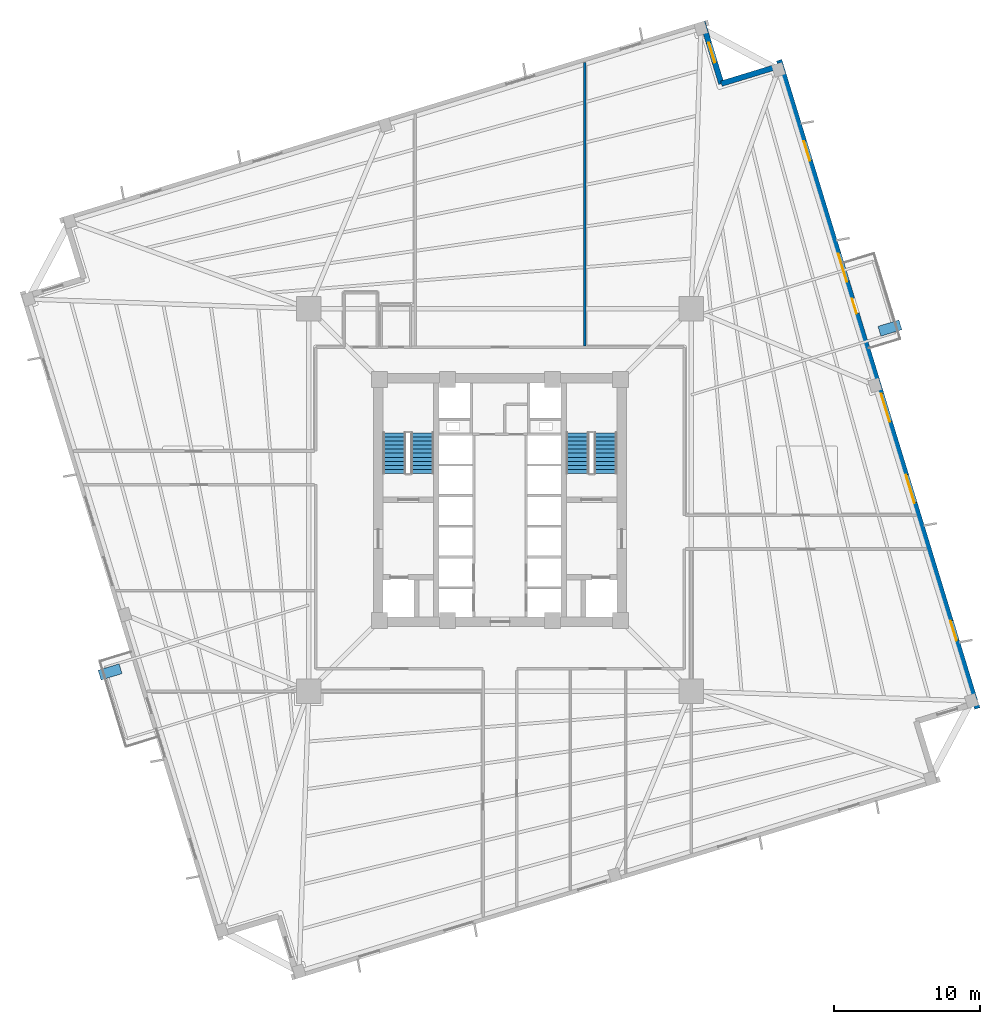
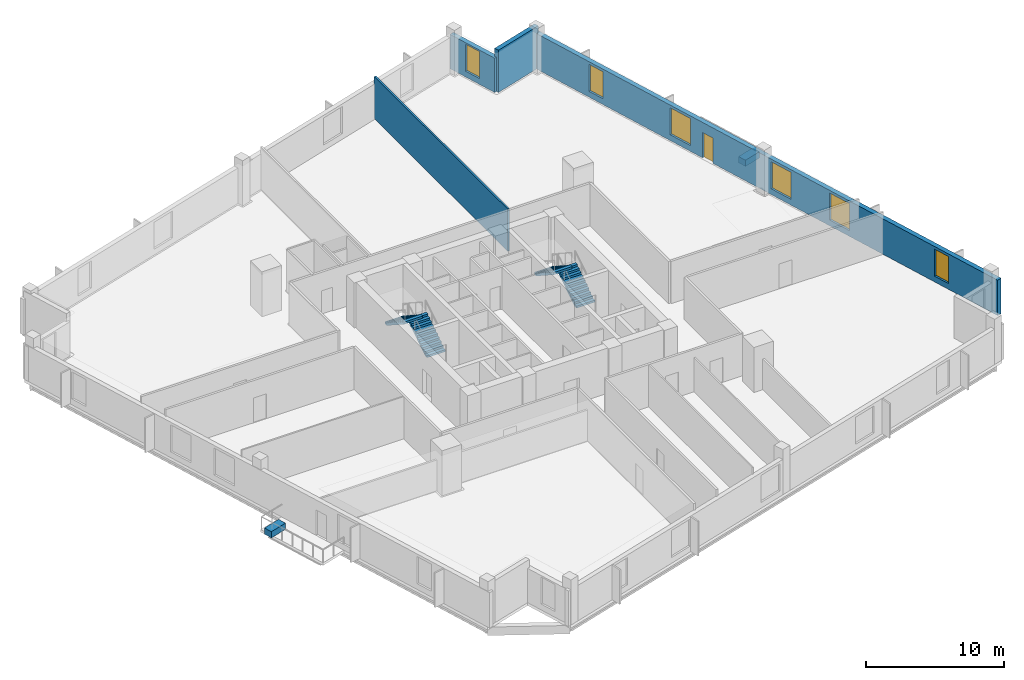
# One storey, part 6 of 9: 6 windows, 4 stair flights, 4 walls, 2 discrete accessories, 1 door, 7 openings, 2 elements without a shape of their own.
"""IFC4 building model written with IfcOpenShell, lengths in metres."""

from ifc_helpers import new_model, si_unit, direction, frame, frame_2d, origin, origin_2d, place, context, subcontext, project, spatial, polyline, rectangle, outline, extrude, source, transform, mapped, material, layer, layer_set, type_object, element, fill, aggregate, save


model = new_model("IFC4")

# Units and contexts
model_context = context("Model", 3, precision=1e-05, world=origin(), true_north=direction((0.0, 1.0)))
body_context = subcontext(model_context, "Body", "Model", "MODEL_VIEW")
ifc_project = project(units=[si_unit("LENGTHUNIT", "METRE"), si_unit("AREAUNIT", "SQUARE_METRE"), si_unit("VOLUMEUNIT", "CUBIC_METRE"), si_unit("PLANEANGLEUNIT", "RADIAN"), si_unit("MASSUNIT", "GRAM", prefix="KILO"), si_unit("THERMODYNAMICTEMPERATUREUNIT", "KELVIN")], contexts=[model_context])

# Site, building, storey
site_placement = place(None, origin())
site = spatial("IfcSite", under=ifc_project, at=site_placement, CompositionType="ELEMENT")
building_placement = place(site_placement, origin())
building = spatial("IfcBuilding", under=site, at=building_placement, Name="Kosmvard Interchange Tower", CompositionType="ELEMENT")
storey_placement = place(building_placement, frame((0.0, 0.0, 107.199951171875)))
storey = spatial("IfcBuildingStorey", under=building, at=storey_placement, Name="L25", CompositionType="ELEMENT", Elevation=107.199951171875)

# Wall
ifc_material_1 = material(Name="Acoustic gypsum partition system")
ifc_layer_1 = layer(ifc_material_1, 0.14990234375, Name="Acoustic gypsum partition system")
ifc_layer_set_1 = layer_set([ifc_layer_1], Name="Acoustic gypsum partition system")
wall_type_1 = type_object("IfcWallType", Name="Acoustic Suite & Meeting Partition 150", PredefinedType="PARTITIONING", material=ifc_layer_set_1)
wall_1_placement = place(storey_placement, frame((5.800048828125, 10.544921875, 0.0), z_axis=(0.0, 0.0, 1.0), x_axis=(0.0, 1.0, 0.0)))
element("IfcWall", 1, at=wall_1_placement, inside=storey, type_object=wall_type_1, Name="L25 Room Partition 02.1", PredefinedType="PARTITIONING", context=body_context, shape_type="SweptSolid", body=[
    extrude(rectangle(XDim=19.39404296875, YDim=0.14990234375, at=frame_2d((9.697021484375, 0.0))), origin(), (0.0, 0.0, 1.0), 3.739990234375),
])

# Wall, openings, door, windows
ifc_material_2 = material(Name="Precast concrete C45/55", Category="concrete")
ifc_layer_2 = layer(ifc_material_2, 0.3798828125, Name="Precast concrete C45/55")
ifc_layer_set_2 = layer_set([ifc_layer_2], Name="Precast concrete C45/55")
wall_type_2 = type_object("IfcWallType", Name="Lower Tower Precast Pier Wall 380 C45/55", PredefinedType="STANDARD", material=ifc_layer_set_2)
wall_2_placement = place(storey_placement, frame((32.65771484375, -14.26513671875, 0.0), z_axis=(0.0, 0.0, 1.0), x_axis=(-0.292373127906, 0.956304320851, 0.0)))
wall_2 = element("IfcWall", 2, at=wall_2_placement, inside=storey, type_object=wall_type_2, Name="L25 Precast Facade Wall F-E", PredefinedType="STANDARD", context=body_context, shape_type="SweptSolid", body=[
    extrude(rectangle(XDim=46.380126953125, YDim=0.3798828125, at=frame_2d((23.18994140625, 0.0))), origin(), (0.0, 0.0, 1.0), 3.14013671875),
])
opening_1_placement = place(wall_2_placement, frame((28.264892578125, 0.0, 0.0)))
opening_1 = element("IfcOpeningElement", 3, at=opening_1_placement, cuts=wall_2, Name="Opening L25-BDE", PredefinedType="OPENING", context=body_context, shape_type="SweptSolid", body=[
    extrude(rectangle(XDim=1.050048828125, YDim=2.25, at=frame_2d((0.52490234375, 1.125))), frame((0.0, 0.199951171875, 0.0), z_axis=(0.0, -1.0, 0.0), x_axis=(1.0, 0.0, 0.0)), (0.0, 0.0, 1.0), 0.39990234375),
])
opening_2_placement = place(wall_2_placement, frame((4.865478515625, 0.0, 0.510009765625)))
opening_2 = element("IfcOpeningElement", 4, at=opening_2_placement, cuts=wall_2, Name="Opening L25-W06", PredefinedType="OPENING", context=body_context, shape_type="SweptSolid", body=[
    extrude(rectangle(XDim=1.39990234375, YDim=2.39990234375, at=frame_2d((0.699951171875, 1.199951171875))), frame((0.0, 0.199951171875, 0.0), z_axis=(0.0, -1.0, 0.0), x_axis=(1.0, 0.0, 0.0)), (0.0, 0.0, 1.0), 0.39990234375),
])
opening_3_placement = place(wall_2_placement, frame((14.7001953125, 0.0, 0.510009765625)))
opening_3 = element("IfcOpeningElement", 5, at=opening_3_placement, cuts=wall_2, Name="Opening L25-W07", PredefinedType="OPENING", context=body_context, shape_type="SweptSolid", body=[
    extrude(rectangle(XDim=2.0, YDim=2.39990234375, at=frame_2d((1.0, 1.199951171875))), frame((0.0, 0.199951171875, 0.0), z_axis=(0.0, -1.0, 0.0), x_axis=(1.0, 0.0, 0.0)), (0.0, 0.0, 1.0), 0.39990234375),
])
opening_4_placement = place(wall_2_placement, frame((20.512451171875, 0.0, 0.510009765625)))
opening_4 = element("IfcOpeningElement", 6, at=opening_4_placement, cuts=wall_2, Name="Opening L25-W08", PredefinedType="OPENING", context=body_context, shape_type="SweptSolid", body=[
    extrude(rectangle(XDim=2.0, YDim=2.39990234375, at=frame_2d((1.0, 1.199951171875))), frame((0.0, 0.199951171875, 0.0), z_axis=(0.0, -1.0, 0.0), x_axis=(1.0, 0.0, 0.0)), (0.0, 0.0, 1.0), 0.39990234375),
])
opening_5_placement = place(wall_2_placement, frame((30.538330078125, 0.0, 0.510009765625)))
opening_5 = element("IfcOpeningElement", 7, at=opening_5_placement, cuts=wall_2, Name="Opening L25-W09", PredefinedType="OPENING", context=body_context, shape_type="SweptSolid", body=[
    extrude(rectangle(XDim=2.0, YDim=2.39990234375, at=frame_2d((1.0, 1.199951171875))), frame((0.0, 0.199951171875, 0.0), z_axis=(0.0, -1.0, 0.0), x_axis=(1.0, 0.0, 0.0)), (0.0, 0.0, 1.0), 0.39990234375),
])
opening_6_placement = place(wall_2_placement, frame((39.186767578125, 0.0, 0.510009765625)))
opening_6 = element("IfcOpeningElement", 8, at=opening_6_placement, cuts=wall_2, Name="Opening L25-W10", PredefinedType="OPENING", context=body_context, shape_type="SweptSolid", body=[
    extrude(rectangle(XDim=1.39990234375, YDim=2.39990234375, at=frame_2d((0.699951171875, 1.199951171875))), frame((0.0, 0.199951171875, 0.0), z_axis=(0.0, -1.0, 0.0), x_axis=(1.0, 0.0, 0.0)), (0.0, 0.0, 1.0), 0.39990234375),
])
ifc_material_3 = material(Name="Anodised aluminium and safety glass", Category="aluminium")
door_type = type_object("IfcDoorType", Name="Tree-Balcony Glazed Door 1050x2250", OperationType="NOTDEFINED", PredefinedType="DOOR", material=ifc_material_3)
shared_shape_1 = source(origin(), body_context, "Body", "SweptSolid", [
    extrude(rectangle(XDim=1.050048828125, YDim=2.25, at=frame_2d((0.52490234375, 1.125))), frame((0.0, 0.02490234375, 0.0), z_axis=(0.0, -1.0, 0.0), x_axis=(1.0, 0.0, 0.0)), (0.0, 0.0, 1.0), 0.050048828125),
])
door_placement = place(opening_1_placement, origin())
door = element("IfcDoor", 9, at=door_placement, inside=storey, type_object=door_type, Name="L25 Tree-Balcony Door BAL-L25-E", OperationType="SINGLE_SWING_RIGHT", OverallHeight=2.25, OverallWidth=1.050048828125, PredefinedType="DOOR", context=body_context, shape_type="MappedRepresentation", body=[
    mapped(shared_shape_1, transform((0.0, 0.0, 0.0), scale=1.0)),
])
fill(opening_1, door)
ifc_material_4 = material(Name="Low-E solar-control double glazing", Category="glass")
window_type_1 = type_object("IfcWindowType", Name="Notched Corner Feature Window 1400x2400", PartitioningType="SINGLE_PANEL", PredefinedType="WINDOW", material=ifc_material_4)
shared_shape_2 = source(origin(), body_context, "Body", "SweptSolid", [
    extrude(rectangle(XDim=1.39990234375, YDim=2.39990234375, at=frame_2d((0.699951171875, 1.199951171875))), frame((0.0, 0.030029296875, 0.0), z_axis=(0.0, -1.0, 0.0), x_axis=(1.0, 0.0, 0.0)), (0.0, 0.0, 1.0), 0.06005859375),
])
window_1_placement = place(opening_2_placement, origin())
window_1 = element("IfcWindow", 10, at=window_1_placement, inside=storey, type_object=window_type_1, Name="L25 Facade Punched Window 06", OverallHeight=2.39990234375, OverallWidth=1.39990234375, PartitioningType="SINGLE_PANEL", PredefinedType="WINDOW", context=body_context, shape_type="MappedRepresentation", body=[
    mapped(shared_shape_2, transform((0.0, 0.0, 0.0), scale=1.0)),
])
fill(opening_2, window_1)
window_2_placement = place(opening_6_placement, origin())
window_2 = element("IfcWindow", 11, at=window_2_placement, inside=storey, type_object=window_type_1, Name="L25 Facade Punched Window 10", OverallHeight=2.39990234375, OverallWidth=1.39990234375, PartitioningType="SINGLE_PANEL", PredefinedType="WINDOW", context=body_context, shape_type="MappedRepresentation", body=[
    mapped(shared_shape_2, transform((0.0, 0.0, 0.0), scale=1.0)),
])
fill(opening_6, window_2)
window_type_2 = type_object("IfcWindowType", Name="Zone 2 Office Punched Window 2000x2400", PartitioningType="SINGLE_PANEL", PredefinedType="WINDOW", material=ifc_material_4)
shared_shape_3 = source(origin(), body_context, "Body", "SweptSolid", [
    extrude(rectangle(XDim=2.0, YDim=2.39990234375, at=frame_2d((1.0, 1.199951171875))), frame((0.0, 0.030029296875, 0.0), z_axis=(0.0, -1.0, 0.0), x_axis=(1.0, 0.0, 0.0)), (0.0, 0.0, 1.0), 0.06005859375),
])
window_3_placement = place(opening_3_placement, origin())
window_3 = element("IfcWindow", 12, at=window_3_placement, inside=storey, type_object=window_type_2, Name="L25 Facade Punched Window 07", OverallHeight=2.39990234375, OverallWidth=2.0, PartitioningType="SINGLE_PANEL", PredefinedType="WINDOW", context=body_context, shape_type="MappedRepresentation", body=[
    mapped(shared_shape_3, transform((0.0, 0.0, 0.0), scale=1.0)),
])
fill(opening_3, window_3)
window_4_placement = place(opening_4_placement, origin())
window_4 = element("IfcWindow", 13, at=window_4_placement, inside=storey, type_object=window_type_2, Name="L25 Facade Punched Window 08", OverallHeight=2.39990234375, OverallWidth=2.0, PartitioningType="SINGLE_PANEL", PredefinedType="WINDOW", context=body_context, shape_type="MappedRepresentation", body=[
    mapped(shared_shape_3, transform((0.0, 0.0, 0.0), scale=1.0)),
])
fill(opening_4, window_4)
window_5_placement = place(opening_5_placement, origin())
window_5 = element("IfcWindow", 14, at=window_5_placement, inside=storey, type_object=window_type_2, Name="L25 Facade Punched Window 09", OverallHeight=2.39990234375, OverallWidth=2.0, PartitioningType="SINGLE_PANEL", PredefinedType="WINDOW", context=body_context, shape_type="MappedRepresentation", body=[
    mapped(shared_shape_3, transform((0.0, 0.0, 0.0), scale=1.0)),
])
fill(opening_5, window_5)

# Wall
wall_3_placement = place(storey_placement, frame((19.20849609375, 29.724853515625, 0.0), z_axis=(0.0, 0.0, 1.0), x_axis=(-0.956312764915, -0.292345507338, 0.0)))
element("IfcWall", 15, at=wall_3_placement, inside=storey, type_object=wall_type_2, Name="L25 Precast Facade Wall N-NE1", PredefinedType="STANDARD", context=body_context, shape_type="SweptSolid", body=[
    extrude(rectangle(XDim=4.249755859375, YDim=0.3798828125, at=frame_2d((2.125, 0.0))), origin(), (0.0, 0.0, 1.0), 3.739990234375),
])

# Wall, opening, window
wall_4_placement = place(storey_placement, frame((15.144287109375, 28.482421875, 0.0), z_axis=(0.0, 0.0, 1.0), x_axis=(-0.292373601522, 0.956304176051, 0.0)))
wall_4 = element("IfcWall", 16, at=wall_4_placement, inside=storey, type_object=wall_type_2, Name="L25 Precast Facade Wall N-NE2", PredefinedType="STANDARD", context=body_context, shape_type="SweptSolid", body=[
    extrude(rectangle(XDim=4.43994140625, YDim=0.3798828125, at=frame_2d((2.219970703125, 0.0))), origin(), (0.0, 0.0, 1.0), 3.0400390625),
])
opening_7_placement = place(wall_4_placement, frame((1.52001953125, 0.0, 0.510009765625)))
opening_7 = element("IfcOpeningElement", 17, at=opening_7_placement, cuts=wall_4, Name="Opening L25-W21", PredefinedType="OPENING", context=body_context, shape_type="SweptSolid", body=[
    extrude(rectangle(XDim=1.39990234375, YDim=2.39990234375, at=frame_2d((0.699951171875, 1.199951171875))), frame((0.0, 0.199951171875, 0.0), z_axis=(0.0, -1.0, 0.0), x_axis=(1.0, 0.0, 0.0)), (0.0, 0.0, 1.0), 0.39990234375),
])
window_6_placement = place(opening_7_placement, origin())
window_6 = element("IfcWindow", 18, at=window_6_placement, inside=storey, type_object=window_type_1, Name="L25 Corner Notch Window 21", OverallHeight=2.39990234375, OverallWidth=1.39990234375, PartitioningType="SINGLE_PANEL", PredefinedType="WINDOW", context=body_context, shape_type="MappedRepresentation", body=[
    mapped(shared_shape_2, transform((0.0, 0.0, 0.0), scale=1.0)),
])
fill(opening_7, window_6)

# Stair, stair flights
ifc_material_5 = material(Name="Concrete C50/60", Category="concrete")
stair_type = type_object("IfcStairType", Name="Dog-Leg Core Exit Stair H4000 C50/60", PredefinedType="HALF_TURN_STAIR", material=ifc_material_5)
stair_1_placement = place(storey_placement, origin())
stair_1 = element("IfcStair", 19, at=stair_1_placement, inside=storey, type_object=stair_type, Name="L25 Protected Exit Stair ST-1", PredefinedType="HALF_TURN_STAIR")
stair_flight_type = type_object("IfcStairFlightType", Name="Core Stair Flight W1550 H4000 C50/60", PredefinedType="STRAIGHT", material=ifc_material_5)
shared_shape_4 = source(origin(), body_context, "Body", "SweptSolid", [
    extrude(outline(polyline([(0.0, 0.0), (0.0, 0.181884765625), (0.280029296875, 0.181884765625), (0.280029296875, 0.363525390625), (0.56005859375, 0.363525390625), (0.56005859375, 0.54541015625), (0.840087890625, 0.54541015625), (0.840087890625, 0.727294921875), (1.1201171875, 0.727294921875), (1.1201171875, 0.9091796875), (1.39990234375, 0.9091796875), (1.39990234375, 1.0908203125), (1.679931640625, 1.0908203125), (1.679931640625, 1.272705078125), (1.9599609375, 1.272705078125), (1.9599609375, 1.45458984375), (2.239990234375, 1.45458984375), (2.239990234375, 1.636474609375), (2.52001953125, 1.636474609375), (2.52001953125, 1.818115234375), (2.800048828125, 1.818115234375), (2.800048828125, 2.0), (2.800048828125, 1.62744140625), (0.293701171875, 0.0), (0.0, 0.0)])), frame((0.0, 0.77490234375, 0.0), z_axis=(0.0, -1.0, 0.0), x_axis=(1.0, 0.0, 0.0)), (0.0, 0.0, 1.0), 1.550048828125),
])
stair_flight_1_placement = place(storey_placement, frame((-5.31494140625, 1.800048828125, 0.0), z_axis=(0.0, 0.0, 1.0), x_axis=(0.0, 1.0, 0.0)))
stair_flight_1 = element("IfcStairFlight", 20, at=stair_flight_1_placement, type_object=stair_flight_type, Name="ST-1 flight 1", NumberOfRisers=11, NumberOfTreads=10, PredefinedType="STRAIGHT", RiserHeight=0.181818182, TreadLength=0.28, context=body_context, shape_type="MappedRepresentation", body=[
    mapped(shared_shape_4, transform((0.0, 0.0, 0.0), scale=1.0)),
])
stair_flight_2_placement = place(storey_placement, frame((-7.22509765625, 4.60009765625, 2.0), z_axis=(0.0, 0.0, 1.0), x_axis=(0.0, -1.0, 0.0)))
stair_flight_2 = element("IfcStairFlight", 21, at=stair_flight_2_placement, type_object=stair_flight_type, Name="ST-1 flight 2", NumberOfRisers=11, NumberOfTreads=10, PredefinedType="STRAIGHT", RiserHeight=0.181818182, TreadLength=0.28, context=body_context, shape_type="MappedRepresentation", body=[
    mapped(shared_shape_4, transform((0.0, 0.0, 0.0), scale=1.0)),
])
aggregate(stair_1, [stair_flight_1, stair_flight_2])

stair_2_placement = place(storey_placement, origin())
stair_2 = element("IfcStair", 22, at=stair_2_placement, inside=storey, type_object=stair_type, Name="L25 Protected Exit Stair ST-2", PredefinedType="HALF_TURN_STAIR")
stair_flight_3_placement = place(storey_placement, frame((7.22509765625, 1.800048828125, 0.0), z_axis=(0.0, 0.0, 1.0), x_axis=(0.0, 1.0, 0.0)))
stair_flight_3 = element("IfcStairFlight", 23, at=stair_flight_3_placement, type_object=stair_flight_type, Name="ST-2 flight 1", NumberOfRisers=11, NumberOfTreads=10, PredefinedType="STRAIGHT", RiserHeight=0.181818182, TreadLength=0.28, context=body_context, shape_type="MappedRepresentation", body=[
    mapped(shared_shape_4, transform((0.0, 0.0, 0.0), scale=1.0)),
])
stair_flight_4_placement = place(storey_placement, frame((5.31494140625, 4.60009765625, 2.0), z_axis=(0.0, 0.0, 1.0), x_axis=(0.0, -1.0, 0.0)))
stair_flight_4 = element("IfcStairFlight", 24, at=stair_flight_4_placement, type_object=stair_flight_type, Name="ST-2 flight 2", NumberOfRisers=11, NumberOfTreads=10, PredefinedType="STRAIGHT", RiserHeight=0.181818182, TreadLength=0.28, context=body_context, shape_type="MappedRepresentation", body=[
    mapped(shared_shape_4, transform((0.0, 0.0, 0.0), scale=1.0)),
])
aggregate(stair_2, [stair_flight_3, stair_flight_4])

# Discrete accessories
ifc_material_6 = material(Name="Terracotta precast planter concrete C45/55", Category="masonry")
discrete_accessory_type = type_object("IfcDiscreteAccessoryType", Name="Precast Tree-Balcony & Terrace Planter Box", PredefinedType="USERDEFINED", material=ifc_material_6)
shared_shape_5 = source(origin(), body_context, "Body", "SweptSolid", [
    extrude(rectangle(XDim=1.5, YDim=0.699951171875, at=origin_2d()), origin(), (0.0, 0.0, 1.0), 0.550048828125),
])
for number, where, z_axis, x_axis, name in (
    (25, (26.67626953125, 11.763427734375, 0.0), (0.0, 0.0, 1.0), (0.956304755963, 0.292371704723, 0.0), "L25 Balcony Tree Planter BAL-L25-E"),
    (26, (-26.67626953125, -11.763427734375, 0.0), (0.0, 0.0, 1.0), (0.956304755963, 0.292371704723, 0.0), "L25 Balcony Tree Planter BAL-L25-W"),
):
    element("IfcDiscreteAccessory", number, at=place(storey_placement, frame(where, z_axis=z_axis, x_axis=x_axis)), inside=storey, type_object=discrete_accessory_type, Name=name, ObjectType="PLANTER", PredefinedType="USERDEFINED", context=body_context, shape_type="MappedRepresentation", body=[
        mapped(shared_shape_5, transform((0.0, 0.0, 0.0), scale=1.0)),
    ])

save(model, "model.ifc")
